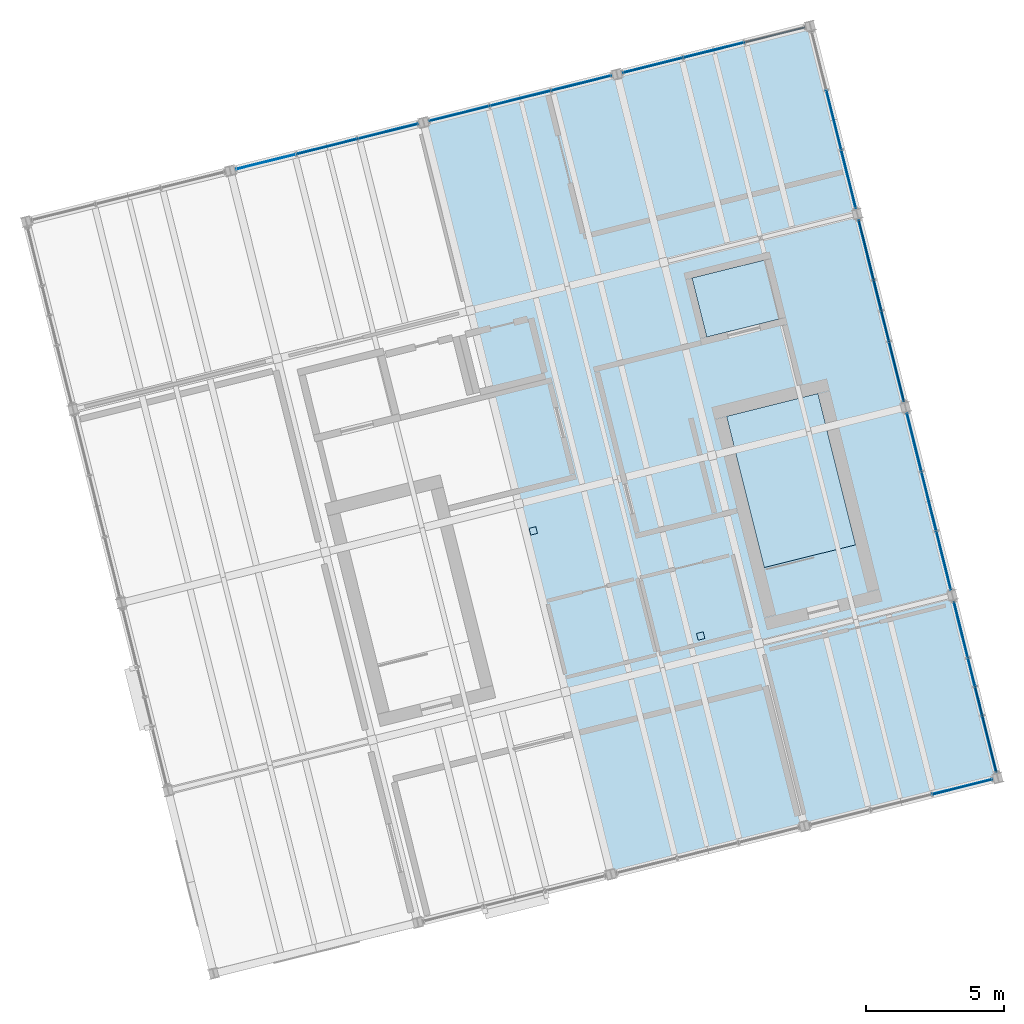
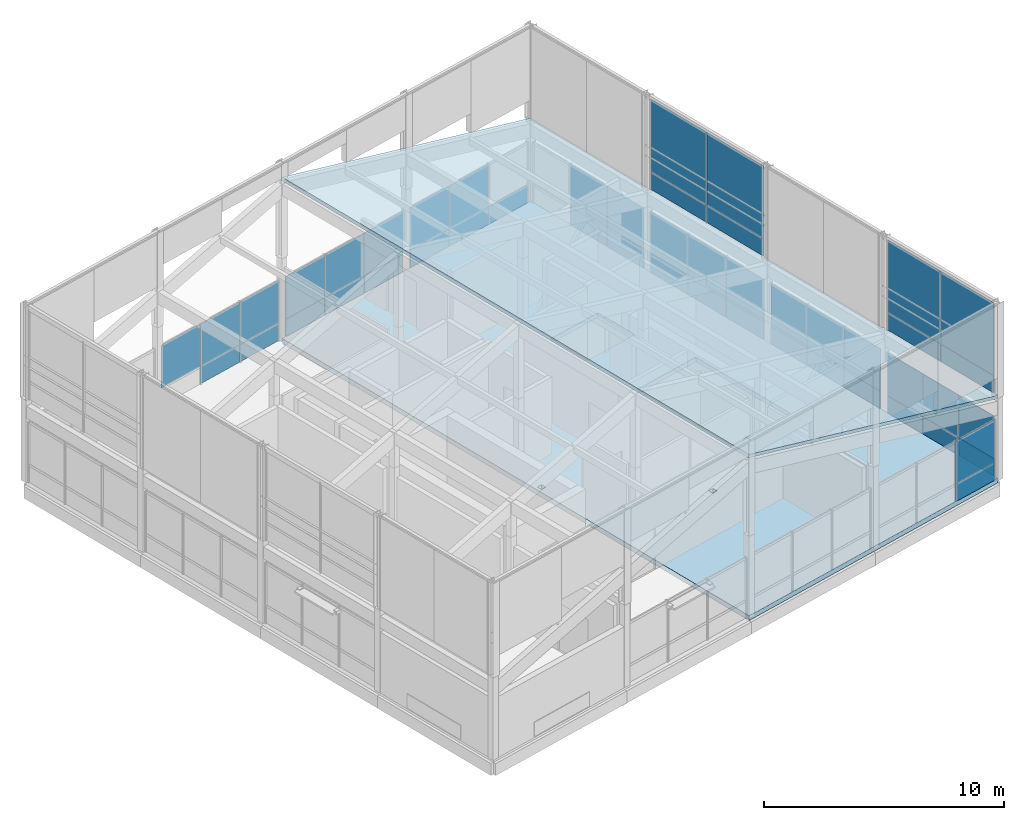
# One storey, part 28 of 31: 48 plates, 2 slabs, 11 elements without a shape of their own.
"""IFC4 building model written with IfcOpenShell, lengths in metres."""

from ifc_helpers import new_model, si_unit, direction, frame, origin, origin_2d, place, context, subcontext, project, spatial, polyline, rectangle, outline, extrude, material, layer, layer_set, type_object, element, aggregate, save


model = new_model("IFC4")

# Units and contexts
model_context = context("Model", 3, precision=1e-05, world=origin(), true_north=direction((0.0, 1.0)))
body_context = subcontext(model_context, "Body", "Model", "MODEL_VIEW")
ifc_project = project(units=[si_unit("LENGTHUNIT", "METRE"), si_unit("AREAUNIT", "SQUARE_METRE"), si_unit("VOLUMEUNIT", "CUBIC_METRE"), si_unit("PLANEANGLEUNIT", "RADIAN"), si_unit("MASSUNIT", "GRAM", prefix="KILO")], contexts=[model_context])

# Site, building, storey
site_placement = place(None, origin())
site = spatial("IfcSite", under=ifc_project, at=site_placement, CompositionType="ELEMENT")
building_placement = place(site_placement, origin())
building = spatial("IfcBuilding", under=site, at=building_placement, Name="Meriwether Solvik Hall", CompositionType="ELEMENT")
storey_placement = place(building_placement, frame((0.0, 0.0, 61.199951171875)))
storey = spatial("IfcBuildingStorey", under=building, at=storey_placement, Name="L15", CompositionType="ELEMENT", Elevation=61.199951171875)

# Curtain wall, plate
ifc_material_1 = material(Name="Thermally Broken Anodised Aluminium 6063-T6 and Low-E Glass", Category="aluminium")
ifc_layer_1 = layer(ifc_material_1, 0.179931640625)
ifc_layer_set_1 = layer_set([ifc_layer_1], Name="Thermally Broken Anodised Aluminium 6063-T6 and Low-E Glass")
curtain_wall_type_1 = type_object("IfcCurtainWallType", Name="CW-UNIT-B", PredefinedType="USERDEFINED", material=ifc_layer_set_1)
curtain_wall_1_placement = place(storey_placement, origin())
curtain_wall_1 = element("IfcCurtainWall", 1, at=curtain_wall_1_placement, inside=storey, type_object=curtain_wall_type_1, Name="Curtain Wall E0_B3 (L15)", ObjectType="UNITISED CURTAIN WALL", PredefinedType="USERDEFINED")
ifc_material_2 = material(Name="Low-Emissivity Double-Glazed Laminated Glass", Category="glass")
ifc_layer_2 = layer(ifc_material_2, 0.031982421875)
ifc_layer_set_2 = layer_set([ifc_layer_2], Name="Low-Emissivity Double-Glazed Laminated Glass")
plate_type_1 = type_object("IfcPlateType", Name="PLT-GLZ-180X185", PredefinedType="CURTAIN_PANEL", material=ifc_layer_set_2)
plate_1_placement = place(storey_placement, frame((95.64013671875, 47.94189453125, 0.8798828125), z_axis=(0.0, 0.0, 1.0), x_axis=(-0.970295696551, -0.241922014821, 0.0)))
plate_1 = element("IfcPlate", 2, at=plate_1_placement, type_object=plate_type_1, Name="Low-E Vision Glazing Panel 1", PredefinedType="CURTAIN_PANEL", context=body_context, shape_type="SweptSolid", body=[
    extrude(rectangle(XDim=2.240966796875, YDim=0.033935546875, at=origin_2d()), origin(), (0.0, 0.0, 1.0), 2.162109375),
])

# Curtain wall, plates
ifc_material_3 = material(Name="Thermally Broken Anodised Aluminium 6063-T6 and Low-E Glass", Category="aluminium")
ifc_layer_3 = layer(ifc_material_3, 0.179931640625)
ifc_layer_set_3 = layer_set([ifc_layer_3], Name="Thermally Broken Anodised Aluminium 6063-T6 and Low-E Glass")
curtain_wall_type_2 = type_object("IfcCurtainWallType", Name="CW-UNIT-C", PredefinedType="USERDEFINED", material=ifc_layer_set_3)
curtain_wall_2_placement = place(storey_placement, origin())
curtain_wall_2 = element("IfcCurtainWall", 3, at=curtain_wall_2_placement, inside=storey, type_object=curtain_wall_type_2, Name="Curtain Wall E1_B3 (L15)", ObjectType="UNITISED CURTAIN WALL", PredefinedType="USERDEFINED")
plate_2_placement = place(storey_placement, frame((91.005615234375, 72.036376953125, 0.8798828125), z_axis=(0.0, 0.0, 1.0), x_axis=(0.241921925524, -0.970295718815, 0.0)))
plate_2 = element("IfcPlate", 4, at=plate_2_placement, type_object=plate_type_1, Name="Low-E Vision Glazing Panel 2", PredefinedType="CURTAIN_PANEL", context=body_context, shape_type="SweptSolid", body=[
    extrude(rectangle(XDim=2.21240234375, YDim=0.033935546875, at=origin_2d()), origin(), (0.0, 0.0, 1.0), 2.162109375),
])
plate_3_placement = place(storey_placement, frame((91.5380859375, 69.900390625, 0.8798828125), z_axis=(0.0, 0.0, 1.0), x_axis=(0.241921925524, -0.970295718815, 0.0)))
plate_3 = element("IfcPlate", 5, at=plate_3_placement, type_object=plate_type_1, Name="Low-E Vision Glazing Panel 3", PredefinedType="CURTAIN_PANEL", context=body_context, shape_type="SweptSolid", body=[
    extrude(rectangle(XDim=2.17431640625, YDim=0.033935546875, at=origin_2d()), origin(), (0.0, 0.0, 1.0), 2.162109375),
])

ifc_material_4 = material(Name="Thermally Broken Anodised Aluminium 6063-T6 and Low-E Glass", Category="aluminium")
ifc_layer_4 = layer(ifc_material_4, 0.179931640625)
ifc_layer_set_4 = layer_set([ifc_layer_4], Name="Thermally Broken Anodised Aluminium 6063-T6 and Low-E Glass")
curtain_wall_type_3 = type_object("IfcCurtainWallType", Name="CW-UNIT-D", PredefinedType="USERDEFINED", material=ifc_layer_set_4)
curtain_wall_3_placement = place(storey_placement, origin())
curtain_wall_3 = element("IfcCurtainWall", 6, at=curtain_wall_3_placement, inside=storey, type_object=curtain_wall_type_3, Name="Curtain Wall E2_B3 (L15)", ObjectType="UNITISED CURTAIN WALL", PredefinedType="USERDEFINED")
plate_4_placement = place(storey_placement, frame((84.465087890625, 74.0126953125, 0.8798828125), z_axis=(0.0, 0.0, 1.0), x_axis=(0.970295730764, 0.241921877598, 0.0)))
plate_4 = element("IfcPlate", 7, at=plate_4_placement, type_object=plate_type_1, Name="Low-E Vision Glazing Panel 1", PredefinedType="CURTAIN_PANEL", context=body_context, shape_type="SweptSolid", body=[
    extrude(rectangle(XDim=2.240966796875, YDim=0.033935546875, at=origin_2d()), origin(), (0.0, 0.0, 1.0), 2.162109375),
])
plate_5_placement = place(storey_placement, frame((86.665771484375, 74.5615234375, 0.8798828125), z_axis=(0.0, 0.0, 1.0), x_axis=(0.970295730764, 0.241921877598, 0.0)))
plate_5 = element("IfcPlate", 8, at=plate_5_placement, type_object=plate_type_1, Name="Low-E Vision Glazing Panel 2", PredefinedType="CURTAIN_PANEL", context=body_context, shape_type="SweptSolid", body=[
    extrude(rectangle(XDim=2.279052734375, YDim=0.033935546875, at=origin_2d()), origin(), (0.0, 0.0, 1.0), 2.162109375),
])

curtain_wall_4_placement = place(storey_placement, origin())
curtain_wall_4 = element("IfcCurtainWall", 9, at=curtain_wall_4_placement, inside=storey, type_object=curtain_wall_type_1, Name="Curtain Wall E1_B2 (L15)", ObjectType="UNITISED CURTAIN WALL", PredefinedType="USERDEFINED")
ifc_material_5 = material(Name="Low-Emissivity Double-Glazed Laminated Glass", Category="glass")
ifc_layer_5 = layer(ifc_material_5, 0.031982421875)
ifc_layer_set_5 = layer_set([ifc_layer_5], Name="Low-Emissivity Double-Glazed Laminated Glass")
plate_type_2 = type_object("IfcPlateType", Name="PLT-GLZ-195X185", PredefinedType="CURTAIN_PANEL", material=ifc_layer_set_5)
plate_6_placement = place(storey_placement, frame((92.174560546875, 67.347900390625, 0.8798828125), z_axis=(0.0, 0.0, 1.0), x_axis=(0.241921877598, -0.970295730764, 0.0)))
plate_6 = element("IfcPlate", 10, at=plate_6_placement, type_object=plate_type_2, Name="Low-E Vision Glazing Panel 1", PredefinedType="CURTAIN_PANEL", context=body_context, shape_type="SweptSolid", body=[
    extrude(rectangle(XDim=2.240966796875, YDim=0.033935546875, at=origin_2d()), origin(), (0.0, 0.0, 1.0), 2.162109375),
])
plate_7_placement = place(storey_placement, frame((92.72314453125, 65.147216796875, 0.8798828125), z_axis=(0.0, 0.0, 1.0), x_axis=(0.241921877598, -0.970295730764, 0.0)))
plate_7 = element("IfcPlate", 11, at=plate_7_placement, type_object=plate_type_2, Name="Low-E Vision Glazing Panel 2", PredefinedType="CURTAIN_PANEL", context=body_context, shape_type="SweptSolid", body=[
    extrude(rectangle(XDim=2.279052734375, YDim=0.033935546875, at=origin_2d()), origin(), (0.0, 0.0, 1.0), 2.162109375),
])
plate_8_placement = place(storey_placement, frame((93.27197265625, 62.946533203125, 0.8798828125), z_axis=(0.0, 0.0, 1.0), x_axis=(0.241921877598, -0.970295730764, 0.0)))
plate_8 = element("IfcPlate", 12, at=plate_8_placement, type_object=plate_type_2, Name="Low-E Vision Glazing Panel 3", PredefinedType="CURTAIN_PANEL", context=body_context, shape_type="SweptSolid", body=[
    extrude(rectangle(XDim=2.240966796875, YDim=0.033935546875, at=origin_2d()), origin(), (0.0, 0.0, 1.0), 2.162109375),
])

curtain_wall_5_placement = place(storey_placement, origin())
curtain_wall_5 = element("IfcCurtainWall", 13, at=curtain_wall_5_placement, inside=storey, type_object=curtain_wall_type_2, Name="Curtain Wall E2_B2 (L15)", ObjectType="UNITISED CURTAIN WALL", PredefinedType="USERDEFINED")
plate_9_placement = place(storey_placement, frame((77.47900390625, 72.27099609375, 0.8798828125), z_axis=(0.0, 0.0, 1.0), x_axis=(0.970295730764, 0.241921877598, 0.0)))
plate_9 = element("IfcPlate", 14, at=plate_9_placement, type_object=plate_type_2, Name="Low-E Vision Glazing Panel 1", PredefinedType="CURTAIN_PANEL", context=body_context, shape_type="SweptSolid", body=[
    extrude(rectangle(XDim=2.240966796875, YDim=0.033935546875, at=origin_2d()), origin(), (0.0, 0.0, 1.0), 2.162109375),
])
plate_10_placement = place(storey_placement, frame((79.6796875, 72.819580078125, 0.8798828125), z_axis=(0.0, 0.0, 1.0), x_axis=(0.970295730764, 0.241921877598, 0.0)))
plate_10 = element("IfcPlate", 15, at=plate_10_placement, type_object=plate_type_2, Name="Low-E Vision Glazing Panel 2", PredefinedType="CURTAIN_PANEL", context=body_context, shape_type="SweptSolid", body=[
    extrude(rectangle(XDim=2.279052734375, YDim=0.033935546875, at=origin_2d()), origin(), (0.0, 0.0, 1.0), 2.162109375),
])
plate_11_placement = place(storey_placement, frame((81.88037109375, 73.368408203125, 0.8798828125), z_axis=(0.0, 0.0, 1.0), x_axis=(0.970295730764, 0.241921877598, 0.0)))
plate_11 = element("IfcPlate", 16, at=plate_11_placement, type_object=plate_type_2, Name="Low-E Vision Glazing Panel 3", PredefinedType="CURTAIN_PANEL", context=body_context, shape_type="SweptSolid", body=[
    extrude(rectangle(XDim=2.240966796875, YDim=0.033935546875, at=origin_2d()), origin(), (0.0, 0.0, 1.0), 2.162109375),
])

ifc_material_6 = material(Name="Thermally Broken Anodised Aluminium 6063-T6 and Low-E Glass", Category="aluminium")
ifc_layer_6 = layer(ifc_material_6, 0.179931640625)
ifc_layer_set_6 = layer_set([ifc_layer_6], Name="Thermally Broken Anodised Aluminium 6063-T6 and Low-E Glass")
curtain_wall_type_4 = type_object("IfcCurtainWallType", Name="CW-UNIT-A", PredefinedType="USERDEFINED", material=ifc_layer_set_6)
curtain_wall_6_placement = place(storey_placement, origin())
curtain_wall_6 = element("IfcCurtainWall", 17, at=curtain_wall_6_placement, inside=storey, type_object=curtain_wall_type_4, Name="Curtain Wall E1_B1 (L15)", ObjectType="UNITISED CURTAIN WALL", PredefinedType="USERDEFINED")
ifc_material_7 = material(Name="Low-Emissivity Double-Glazed Laminated Glass", Category="glass")
ifc_layer_7 = layer(ifc_material_7, 0.031982421875)
ifc_layer_set_7 = layer_set([ifc_layer_7], Name="Low-Emissivity Double-Glazed Laminated Glass")
plate_type_3 = type_object("IfcPlateType", Name="PLT-GLZ-210X195", PredefinedType="CURTAIN_PANEL", material=ifc_layer_set_7)
plate_12_placement = place(storey_placement, frame((93.908203125, 60.39404296875, 0.8798828125), z_axis=(0.0, 0.0, 1.0), x_axis=(0.241921925524, -0.970295718815, 0.0)))
plate_12 = element("IfcPlate", 18, at=plate_12_placement, type_object=plate_type_3, Name="Low-E Vision Glazing Panel 1", PredefinedType="CURTAIN_PANEL", context=body_context, shape_type="SweptSolid", body=[
    extrude(rectangle(XDim=2.17431640625, YDim=0.033935546875, at=origin_2d()), origin(), (0.0, 0.0, 1.0), 2.162109375),
])
plate_13_placement = place(storey_placement, frame((94.44091796875, 58.258056640625, 0.8798828125), z_axis=(0.0, 0.0, 1.0), x_axis=(0.241921925524, -0.970295718815, 0.0)))
plate_13 = element("IfcPlate", 19, at=plate_13_placement, type_object=plate_type_3, Name="Low-E Vision Glazing Panel 2", PredefinedType="CURTAIN_PANEL", context=body_context, shape_type="SweptSolid", body=[
    extrude(rectangle(XDim=2.21240234375, YDim=0.033935546875, at=origin_2d()), origin(), (0.0, 0.0, 1.0), 2.162109375),
])
plate_14_placement = place(storey_placement, frame((94.973388671875, 56.122314453125, 0.8798828125), z_axis=(0.0, 0.0, 1.0), x_axis=(0.241921925524, -0.970295718815, 0.0)))
plate_14 = element("IfcPlate", 20, at=plate_14_placement, type_object=plate_type_3, Name="Low-E Vision Glazing Panel 3", PredefinedType="CURTAIN_PANEL", context=body_context, shape_type="SweptSolid", body=[
    extrude(rectangle(XDim=2.17431640625, YDim=0.033935546875, at=origin_2d()), origin(), (0.0, 0.0, 1.0), 2.162109375),
])

curtain_wall_7_placement = place(storey_placement, origin())
curtain_wall_7 = element("IfcCurtainWall", 21, at=curtain_wall_7_placement, inside=storey, type_object=curtain_wall_type_1, Name="Curtain Wall E2_B1 (L15)", ObjectType="UNITISED CURTAIN WALL", PredefinedType="USERDEFINED")
plate_15_placement = place(storey_placement, frame((70.492919921875, 70.529052734375, 0.8798828125), z_axis=(0.0, 0.0, 1.0), x_axis=(0.970295730764, 0.241921877598, 0.0)))
plate_15 = element("IfcPlate", 22, at=plate_15_placement, type_object=plate_type_3, Name="Low-E Vision Glazing Panel 1", PredefinedType="CURTAIN_PANEL", context=body_context, shape_type="SweptSolid", body=[
    extrude(rectangle(XDim=2.240966796875, YDim=0.033935546875, at=origin_2d()), origin(), (0.0, 0.0, 1.0), 2.162109375),
])
plate_16_placement = place(storey_placement, frame((72.693603515625, 71.077880859375, 0.8798828125), z_axis=(0.0, 0.0, 1.0), x_axis=(0.970295730764, 0.241921877598, 0.0)))
plate_16 = element("IfcPlate", 23, at=plate_16_placement, type_object=plate_type_3, Name="Low-E Vision Glazing Panel 2", PredefinedType="CURTAIN_PANEL", context=body_context, shape_type="SweptSolid", body=[
    extrude(rectangle(XDim=2.279052734375, YDim=0.033935546875, at=origin_2d()), origin(), (0.0, 0.0, 1.0), 2.162109375),
])
plate_17_placement = place(storey_placement, frame((74.89404296875, 71.62646484375, 0.8798828125), z_axis=(0.0, 0.0, 1.0), x_axis=(0.970295730764, 0.241921877598, 0.0)))
plate_17 = element("IfcPlate", 24, at=plate_17_placement, type_object=plate_type_3, Name="Low-E Vision Glazing Panel 3", PredefinedType="CURTAIN_PANEL", context=body_context, shape_type="SweptSolid", body=[
    extrude(rectangle(XDim=2.240966796875, YDim=0.033935546875, at=origin_2d()), origin(), (0.0, 0.0, 1.0), 2.162109375),
])

ifc_material_8 = material(Name="Thermally Broken Anodised Aluminium 6063-T6 and Low-E Glass", Category="aluminium")
ifc_layer_8 = layer(ifc_material_8, 0.179931640625)
ifc_layer_set_8 = layer_set([ifc_layer_8], Name="Thermally Broken Anodised Aluminium 6063-T6 and Low-E Glass")
curtain_wall_type_5 = type_object("IfcCurtainWallType", Name="CW-UNIT-G", PredefinedType="USERDEFINED", material=ifc_layer_set_8)
curtain_wall_8_placement = place(storey_placement, origin())
curtain_wall_8 = element("IfcCurtainWall", 25, at=curtain_wall_8_placement, inside=storey, type_object=curtain_wall_type_5, Name="Curtain Wall E1_B0 (L15)", ObjectType="UNITISED CURTAIN WALL", PredefinedType="USERDEFINED")
ifc_material_9 = material(Name="Low-Emissivity Double-Glazed Laminated Glass", Category="glass")
ifc_layer_9 = layer(ifc_material_9, 0.031982421875)
ifc_layer_set_9 = layer_set([ifc_layer_9], Name="Low-Emissivity Double-Glazed Laminated Glass")
plate_type_4 = type_object("IfcPlateType", Name="PLT-GLZ-225X195", PredefinedType="CURTAIN_PANEL", material=ifc_layer_set_9)
plate_18_placement = place(storey_placement, frame((95.59375, 53.63427734375, 0.8798828125), z_axis=(0.0, 0.0, 1.0), x_axis=(0.241921830705, -0.970295742456, 0.0)))
plate_18 = element("IfcPlate", 26, at=plate_18_placement, type_object=plate_type_4, Name="Low-E Vision Glazing Panel 1", PredefinedType="CURTAIN_PANEL", context=body_context, shape_type="SweptSolid", body=[
    extrude(rectangle(XDim=2.107666015625, YDim=0.033935546875, at=origin_2d()), origin(), (0.0, 0.0, 1.0), 2.162109375),
])
plate_19_placement = place(storey_placement, frame((96.110107421875, 51.563232421875, 0.8798828125), z_axis=(0.0, 0.0, 1.0), x_axis=(0.241921830705, -0.970295742456, 0.0)))
plate_19 = element("IfcPlate", 27, at=plate_19_placement, type_object=plate_type_4, Name="Low-E Vision Glazing Panel 2", PredefinedType="CURTAIN_PANEL", context=body_context, shape_type="SweptSolid", body=[
    extrude(rectangle(XDim=2.145751953125, YDim=0.033935546875, at=origin_2d()), origin(), (0.0, 0.0, 1.0), 2.162109375),
])
plate_20_placement = place(storey_placement, frame((96.62646484375, 49.491943359375, 0.8798828125), z_axis=(0.0, 0.0, 1.0), x_axis=(0.241921830705, -0.970295742456, 0.0)))
plate_20 = element("IfcPlate", 28, at=plate_20_placement, type_object=plate_type_4, Name="Low-E Vision Glazing Panel 3", PredefinedType="CURTAIN_PANEL", context=body_context, shape_type="SweptSolid", body=[
    extrude(rectangle(XDim=2.107666015625, YDim=0.033935546875, at=origin_2d()), origin(), (0.0, 0.0, 1.0), 2.162109375),
])

ifc_material_10 = material(Name="Thermally Broken Anodised Aluminium 6063-T6 and Low-E Glass", Category="aluminium")
ifc_layer_10 = layer(ifc_material_10, 0.179931640625)
ifc_layer_set_10 = layer_set([ifc_layer_10], Name="Thermally Broken Anodised Aluminium 6063-T6 and Low-E Glass")
curtain_wall_type_6 = type_object("IfcCurtainWallType", Name="CW-CROWN-GL", PredefinedType="USERDEFINED", material=ifc_layer_set_10)
curtain_wall_9_placement = place(storey_placement, origin())
curtain_wall_9 = element("IfcCurtainWall", 29, at=curtain_wall_9_placement, inside=storey, type_object=curtain_wall_type_6, Name="Curtain Wall crown_E_1 (L15)", ObjectType="UNITISED CURTAIN WALL", PredefinedType="USERDEFINED")
ifc_material_11 = material(Name="Low-Emissivity Double-Glazed Laminated Glass", Category="glass")
ifc_layer_11 = layer(ifc_material_11, 0.033935546875)
ifc_layer_set_11 = layer_set([ifc_layer_11], Name="Low-Emissivity Double-Glazed Laminated Glass")
plate_type_5 = type_object("IfcPlateType", Name="PLT-GLZ-320X180", PredefinedType="CURTAIN_PANEL", material=ifc_layer_set_11)
plate_21_placement = place(storey_placement, frame((96.493896484375, 50.024169921875, 5.10009765625), z_axis=(0.0, 0.0, 1.0), x_axis=(-0.241922418429, 0.97029559592, 0.0)))
plate_21 = element("IfcPlate", 30, at=plate_21_placement, type_object=plate_type_5, Name="Low-E Vision Glazing Panel 1", PredefinedType="CURTAIN_PANEL", context=body_context, shape_type="SweptSolid", body=[
    extrude(rectangle(XDim=3.1640625, YDim=0.033935546875, at=origin_2d()), origin(), (0.0, 0.0, 1.0), 3.68994140625),
])
plate_22_placement = place(storey_placement, frame((95.726318359375, 53.10205078125, 5.10009765625), z_axis=(0.0, 0.0, 1.0), x_axis=(-0.241922418429, 0.97029559592, 0.0)))
plate_22 = element("IfcPlate", 31, at=plate_22_placement, type_object=plate_type_5, Name="Low-E Vision Glazing Panel 2", PredefinedType="CURTAIN_PANEL", context=body_context, shape_type="SweptSolid", body=[
    extrude(rectangle(XDim=3.1640625, YDim=0.033935546875, at=origin_2d()), origin(), (0.0, 0.0, 1.0), 3.68994140625),
])

curtain_wall_10_placement = place(storey_placement, origin())
curtain_wall_10 = element("IfcCurtainWall", 32, at=curtain_wall_10_placement, inside=storey, type_object=curtain_wall_type_6, Name="Curtain Wall crown_E_3 (L15)", ObjectType="UNITISED CURTAIN WALL", PredefinedType="USERDEFINED")
plate_23_placement = place(storey_placement, frame((93.131103515625, 63.51123046875, 5.10009765625), z_axis=(0.0, 0.0, 1.0), x_axis=(-0.241922500343, 0.970295575496, 0.0)))
plate_23 = element("IfcPlate", 33, at=plate_23_placement, type_object=plate_type_5, Name="Low-E Vision Glazing Panel 1", PredefinedType="CURTAIN_PANEL", context=body_context, shape_type="SweptSolid", body=[
    extrude(rectangle(XDim=3.364013671875, YDim=0.033935546875, at=origin_2d()), origin(), (0.0, 0.0, 1.0), 3.68994140625),
])
plate_24_placement = place(storey_placement, frame((92.3154296875, 66.783203125, 5.10009765625), z_axis=(0.0, 0.0, 1.0), x_axis=(-0.241922500343, 0.970295575496, 0.0)))
plate_24 = element("IfcPlate", 34, at=plate_24_placement, type_object=plate_type_5, Name="Low-E Vision Glazing Panel 2", PredefinedType="CURTAIN_PANEL", context=body_context, shape_type="SweptSolid", body=[
    extrude(rectangle(XDim=3.364013671875, YDim=0.033935546875, at=origin_2d()), origin(), (0.0, 0.0, 1.0), 3.68994140625),
])

# Plate
ifc_material_12 = material(Name="Mineral-Wool Insulated Anodised Aluminium 6063-T6", Category="aluminium")
ifc_layer_12 = layer(ifc_material_12, 0.044921875)
ifc_layer_set_12 = layer_set([ifc_layer_12], Name="Mineral-Wool Insulated Anodised Aluminium 6063-T6")
plate_type_6 = type_object("IfcPlateType", Name="PLT-SPN-200X085", PredefinedType="CURTAIN_PANEL", material=ifc_layer_set_12)
plate_25_placement = place(storey_placement, frame((95.64013671875, 47.94189453125, 0.0), z_axis=(0.0, 0.0, 1.0), x_axis=(-0.970295696551, -0.241922014821, 0.0)))
plate_25 = element("IfcPlate", 35, at=plate_25_placement, type_object=plate_type_6, Name="Insulated Spandrel Panel 1", PredefinedType="CURTAIN_PANEL", context=body_context, shape_type="SweptSolid", body=[
    extrude(rectangle(XDim=2.240966796875, YDim=0.044921875, at=origin_2d()), origin(), (0.0, 0.0, 1.0), 0.8798828125),
])

aggregate(curtain_wall_1, [plate_25, plate_1])

plate_26_placement = place(storey_placement, frame((95.59375, 53.63427734375, 0.0), z_axis=(0.0, 0.0, 1.0), x_axis=(0.241921830705, -0.970295742456, 0.0)))
plate_26 = element("IfcPlate", 36, at=plate_26_placement, type_object=plate_type_6, Name="Insulated Spandrel Panel 1", PredefinedType="CURTAIN_PANEL", context=body_context, shape_type="SweptSolid", body=[
    extrude(rectangle(XDim=2.107666015625, YDim=0.044921875, at=origin_2d()), origin(), (0.0, 0.0, 1.0), 0.8798828125),
])

plate_27_placement = place(storey_placement, frame((96.110107421875, 51.563232421875, 0.0), z_axis=(0.0, 0.0, 1.0), x_axis=(0.241921830705, -0.970295742456, 0.0)))
plate_27 = element("IfcPlate", 37, at=plate_27_placement, type_object=plate_type_6, Name="Insulated Spandrel Panel 2", PredefinedType="CURTAIN_PANEL", context=body_context, shape_type="SweptSolid", body=[
    extrude(rectangle(XDim=2.145751953125, YDim=0.044921875, at=origin_2d()), origin(), (0.0, 0.0, 1.0), 0.8798828125),
])

plate_28_placement = place(storey_placement, frame((96.62646484375, 49.491943359375, 0.0), z_axis=(0.0, 0.0, 1.0), x_axis=(0.241921830705, -0.970295742456, 0.0)))
plate_28 = element("IfcPlate", 38, at=plate_28_placement, type_object=plate_type_6, Name="Insulated Spandrel Panel 3", PredefinedType="CURTAIN_PANEL", context=body_context, shape_type="SweptSolid", body=[
    extrude(rectangle(XDim=2.107666015625, YDim=0.044921875, at=origin_2d()), origin(), (0.0, 0.0, 1.0), 0.8798828125),
])

aggregate(curtain_wall_8, [plate_26, plate_18, plate_27, plate_19, plate_28, plate_20])

plate_29_placement = place(storey_placement, frame((93.908203125, 60.39404296875, 0.0), z_axis=(0.0, 0.0, 1.0), x_axis=(0.241921925524, -0.970295718815, 0.0)))
plate_29 = element("IfcPlate", 39, at=plate_29_placement, type_object=plate_type_6, Name="Insulated Spandrel Panel 1", PredefinedType="CURTAIN_PANEL", context=body_context, shape_type="SweptSolid", body=[
    extrude(rectangle(XDim=2.17431640625, YDim=0.044921875, at=origin_2d()), origin(), (0.0, 0.0, 1.0), 0.8798828125),
])

plate_30_placement = place(storey_placement, frame((94.44091796875, 58.258056640625, 0.0), z_axis=(0.0, 0.0, 1.0), x_axis=(0.241921925524, -0.970295718815, 0.0)))
plate_30 = element("IfcPlate", 40, at=plate_30_placement, type_object=plate_type_6, Name="Insulated Spandrel Panel 2", PredefinedType="CURTAIN_PANEL", context=body_context, shape_type="SweptSolid", body=[
    extrude(rectangle(XDim=2.21240234375, YDim=0.044921875, at=origin_2d()), origin(), (0.0, 0.0, 1.0), 0.8798828125),
])

plate_31_placement = place(storey_placement, frame((94.973388671875, 56.122314453125, 0.0), z_axis=(0.0, 0.0, 1.0), x_axis=(0.241921925524, -0.970295718815, 0.0)))
plate_31 = element("IfcPlate", 41, at=plate_31_placement, type_object=plate_type_6, Name="Insulated Spandrel Panel 3", PredefinedType="CURTAIN_PANEL", context=body_context, shape_type="SweptSolid", body=[
    extrude(rectangle(XDim=2.17431640625, YDim=0.044921875, at=origin_2d()), origin(), (0.0, 0.0, 1.0), 0.8798828125),
])

aggregate(curtain_wall_6, [plate_29, plate_12, plate_30, plate_13, plate_31, plate_14])

plate_32_placement = place(storey_placement, frame((92.174560546875, 67.347900390625, 0.0), z_axis=(0.0, 0.0, 1.0), x_axis=(0.241921877598, -0.970295730764, 0.0)))
plate_32 = element("IfcPlate", 42, at=plate_32_placement, type_object=plate_type_6, Name="Insulated Spandrel Panel 1", PredefinedType="CURTAIN_PANEL", context=body_context, shape_type="SweptSolid", body=[
    extrude(rectangle(XDim=2.240966796875, YDim=0.044921875, at=origin_2d()), origin(), (0.0, 0.0, 1.0), 0.8798828125),
])

plate_33_placement = place(storey_placement, frame((92.72314453125, 65.147216796875, 0.0), z_axis=(0.0, 0.0, 1.0), x_axis=(0.241921877598, -0.970295730764, 0.0)))
plate_33 = element("IfcPlate", 43, at=plate_33_placement, type_object=plate_type_6, Name="Insulated Spandrel Panel 2", PredefinedType="CURTAIN_PANEL", context=body_context, shape_type="SweptSolid", body=[
    extrude(rectangle(XDim=2.279052734375, YDim=0.044921875, at=origin_2d()), origin(), (0.0, 0.0, 1.0), 0.8798828125),
])

plate_34_placement = place(storey_placement, frame((93.27197265625, 62.946533203125, 0.0), z_axis=(0.0, 0.0, 1.0), x_axis=(0.241921877598, -0.970295730764, 0.0)))
plate_34 = element("IfcPlate", 44, at=plate_34_placement, type_object=plate_type_6, Name="Insulated Spandrel Panel 3", PredefinedType="CURTAIN_PANEL", context=body_context, shape_type="SweptSolid", body=[
    extrude(rectangle(XDim=2.240966796875, YDim=0.044921875, at=origin_2d()), origin(), (0.0, 0.0, 1.0), 0.8798828125),
])

aggregate(curtain_wall_4, [plate_32, plate_6, plate_33, plate_7, plate_34, plate_8])

plate_35_placement = place(storey_placement, frame((91.005615234375, 72.036376953125, 0.0), z_axis=(0.0, 0.0, 1.0), x_axis=(0.241921925524, -0.970295718815, 0.0)))
plate_35 = element("IfcPlate", 45, at=plate_35_placement, type_object=plate_type_6, Name="Insulated Spandrel Panel 2", PredefinedType="CURTAIN_PANEL", context=body_context, shape_type="SweptSolid", body=[
    extrude(rectangle(XDim=2.21240234375, YDim=0.044921875, at=origin_2d()), origin(), (0.0, 0.0, 1.0), 0.8798828125),
])

plate_36_placement = place(storey_placement, frame((91.5380859375, 69.900390625, 0.0), z_axis=(0.0, 0.0, 1.0), x_axis=(0.241921925524, -0.970295718815, 0.0)))
plate_36 = element("IfcPlate", 46, at=plate_36_placement, type_object=plate_type_6, Name="Insulated Spandrel Panel 3", PredefinedType="CURTAIN_PANEL", context=body_context, shape_type="SweptSolid", body=[
    extrude(rectangle(XDim=2.17431640625, YDim=0.044921875, at=origin_2d()), origin(), (0.0, 0.0, 1.0), 0.8798828125),
])

aggregate(curtain_wall_2, [plate_35, plate_2, plate_36, plate_3])

plate_37_placement = place(storey_placement, frame((72.693603515625, 71.077880859375, 0.0), z_axis=(0.0, 0.0, 1.0), x_axis=(0.970295730764, 0.241921877598, 0.0)))
plate_37 = element("IfcPlate", 47, at=plate_37_placement, type_object=plate_type_6, Name="Insulated Spandrel Panel 2", PredefinedType="CURTAIN_PANEL", context=body_context, shape_type="SweptSolid", body=[
    extrude(rectangle(XDim=2.279052734375, YDim=0.044921875, at=origin_2d()), origin(), (0.0, 0.0, 1.0), 0.8798828125),
])

plate_38_placement = place(storey_placement, frame((74.89404296875, 71.62646484375, 0.0), z_axis=(0.0, 0.0, 1.0), x_axis=(0.970295730764, 0.241921877598, 0.0)))
plate_38 = element("IfcPlate", 48, at=plate_38_placement, type_object=plate_type_6, Name="Insulated Spandrel Panel 3", PredefinedType="CURTAIN_PANEL", context=body_context, shape_type="SweptSolid", body=[
    extrude(rectangle(XDim=2.240966796875, YDim=0.044921875, at=origin_2d()), origin(), (0.0, 0.0, 1.0), 0.8798828125),
])

aggregate(curtain_wall_7, [plate_15, plate_37, plate_16, plate_38, plate_17])

plate_39_placement = place(storey_placement, frame((77.47900390625, 72.27099609375, 0.0), z_axis=(0.0, 0.0, 1.0), x_axis=(0.970295730764, 0.241921877598, 0.0)))
plate_39 = element("IfcPlate", 49, at=plate_39_placement, type_object=plate_type_6, Name="Insulated Spandrel Panel 1", PredefinedType="CURTAIN_PANEL", context=body_context, shape_type="SweptSolid", body=[
    extrude(rectangle(XDim=2.240966796875, YDim=0.044921875, at=origin_2d()), origin(), (0.0, 0.0, 1.0), 0.8798828125),
])

plate_40_placement = place(storey_placement, frame((79.6796875, 72.819580078125, 0.0), z_axis=(0.0, 0.0, 1.0), x_axis=(0.970295730764, 0.241921877598, 0.0)))
plate_40 = element("IfcPlate", 50, at=plate_40_placement, type_object=plate_type_6, Name="Insulated Spandrel Panel 2", PredefinedType="CURTAIN_PANEL", context=body_context, shape_type="SweptSolid", body=[
    extrude(rectangle(XDim=2.279052734375, YDim=0.044921875, at=origin_2d()), origin(), (0.0, 0.0, 1.0), 0.8798828125),
])

plate_41_placement = place(storey_placement, frame((81.88037109375, 73.368408203125, 0.0), z_axis=(0.0, 0.0, 1.0), x_axis=(0.970295730764, 0.241921877598, 0.0)))
plate_41 = element("IfcPlate", 51, at=plate_41_placement, type_object=plate_type_6, Name="Insulated Spandrel Panel 3", PredefinedType="CURTAIN_PANEL", context=body_context, shape_type="SweptSolid", body=[
    extrude(rectangle(XDim=2.240966796875, YDim=0.044921875, at=origin_2d()), origin(), (0.0, 0.0, 1.0), 0.8798828125),
])

aggregate(curtain_wall_5, [plate_39, plate_9, plate_40, plate_10, plate_41, plate_11])

plate_42_placement = place(storey_placement, frame((84.465087890625, 74.0126953125, 0.0), z_axis=(0.0, 0.0, 1.0), x_axis=(0.970295730764, 0.241921877598, 0.0)))
plate_42 = element("IfcPlate", 52, at=plate_42_placement, type_object=plate_type_6, Name="Insulated Spandrel Panel 1", PredefinedType="CURTAIN_PANEL", context=body_context, shape_type="SweptSolid", body=[
    extrude(rectangle(XDim=2.240966796875, YDim=0.044921875, at=origin_2d()), origin(), (0.0, 0.0, 1.0), 0.8798828125),
])

plate_43_placement = place(storey_placement, frame((86.665771484375, 74.5615234375, 0.0), z_axis=(0.0, 0.0, 1.0), x_axis=(0.970295730764, 0.241921877598, 0.0)))
plate_43 = element("IfcPlate", 53, at=plate_43_placement, type_object=plate_type_6, Name="Insulated Spandrel Panel 2", PredefinedType="CURTAIN_PANEL", context=body_context, shape_type="SweptSolid", body=[
    extrude(rectangle(XDim=2.279052734375, YDim=0.044921875, at=origin_2d()), origin(), (0.0, 0.0, 1.0), 0.8798828125),
])

plate_44_placement = place(storey_placement, frame((88.866455078125, 75.110107421875, 0.0), z_axis=(0.0, 0.0, 1.0), x_axis=(0.970295730764, 0.241921877598, 0.0)))
plate_44 = element("IfcPlate", 54, at=plate_44_placement, type_object=plate_type_6, Name="Insulated Spandrel Panel 3", PredefinedType="CURTAIN_PANEL", context=body_context, shape_type="SweptSolid", body=[
    extrude(rectangle(XDim=2.240966796875, YDim=0.044921875, at=origin_2d()), origin(), (0.0, 0.0, 1.0), 0.8798828125),
])

aggregate(curtain_wall_3, [plate_42, plate_4, plate_43, plate_5, plate_44])

plate_45_placement = place(storey_placement, frame((96.493896484375, 50.024169921875, 4.22021484375), z_axis=(0.0, 0.0, 1.0), x_axis=(-0.241922418429, 0.97029559592, 0.0)))
plate_45 = element("IfcPlate", 55, at=plate_45_placement, type_object=plate_type_6, Name="Insulated Spandrel Panel 1", PredefinedType="CURTAIN_PANEL", context=body_context, shape_type="SweptSolid", body=[
    extrude(rectangle(XDim=3.1640625, YDim=0.044921875, at=origin_2d()), origin(), (0.0, 0.0, 1.0), 0.8798828125),
])

plate_46_placement = place(storey_placement, frame((95.726318359375, 53.10205078125, 4.22021484375), z_axis=(0.0, 0.0, 1.0), x_axis=(-0.241922418429, 0.97029559592, 0.0)))
plate_46 = element("IfcPlate", 56, at=plate_46_placement, type_object=plate_type_6, Name="Insulated Spandrel Panel 2", PredefinedType="CURTAIN_PANEL", context=body_context, shape_type="SweptSolid", body=[
    extrude(rectangle(XDim=3.1640625, YDim=0.044921875, at=origin_2d()), origin(), (0.0, 0.0, 1.0), 0.8798828125),
])

aggregate(curtain_wall_9, [plate_45, plate_21, plate_46, plate_22])

plate_47_placement = place(storey_placement, frame((93.131103515625, 63.51123046875, 4.22021484375), z_axis=(0.0, 0.0, 1.0), x_axis=(-0.241922500343, 0.970295575496, 0.0)))
plate_47 = element("IfcPlate", 57, at=plate_47_placement, type_object=plate_type_6, Name="Insulated Spandrel Panel 1", PredefinedType="CURTAIN_PANEL", context=body_context, shape_type="SweptSolid", body=[
    extrude(rectangle(XDim=3.364013671875, YDim=0.044921875, at=origin_2d()), origin(), (0.0, 0.0, 1.0), 0.8798828125),
])

plate_48_placement = place(storey_placement, frame((92.3154296875, 66.783203125, 4.22021484375), z_axis=(0.0, 0.0, 1.0), x_axis=(-0.241922500343, 0.970295575496, 0.0)))
plate_48 = element("IfcPlate", 58, at=plate_48_placement, type_object=plate_type_6, Name="Insulated Spandrel Panel 2", PredefinedType="CURTAIN_PANEL", context=body_context, shape_type="SweptSolid", body=[
    extrude(rectangle(XDim=3.364013671875, YDim=0.044921875, at=origin_2d()), origin(), (0.0, 0.0, 1.0), 0.8798828125),
])

aggregate(curtain_wall_10, [plate_47, plate_23, plate_48, plate_24])

# Slab
ifc_material_13 = material(Name="Cross-Laminated Timber PRG 320 E1", Category="wood")
ifc_layer_13 = layer(ifc_material_13, 0.2451171875)
ifc_layer_set_13 = layer_set([ifc_layer_13], Name="Cross-Laminated Timber PRG 320 E1")
slab_type_1 = type_object("IfcSlabType", Name="SLB-CLT-245", PredefinedType="FLOOR", material=ifc_layer_set_13)
slab_1_placement = place(storey_placement, frame((0.0, 0.0, -0.244873046875)))
element("IfcSlab", 59, at=slab_1_placement, inside=storey, type_object=slab_type_1, Name="L15 Mass-Timber CLT Floor C", PredefinedType="FLOOR", context=body_context, shape_type="SweptSolid", body=[
    extrude(outline(polyline([(90.156005859375, 75.431640625), (96.9296875, 48.263427734375), (82.96337890625, 44.78125), (76.189453125, 71.949462890625), (90.156005859375, 75.431640625)]), holes=[polyline([(86.106689453125, 53.242919921875), (86.34912109375, 53.303466796875), (86.28857421875, 53.5458984375), (86.046142578125, 53.485595703125), (86.106689453125, 53.242919921875)]), polyline([(79.997314453125, 57.284912109375), (80.0576171875, 57.04248046875), (80.30029296875, 57.10302734375), (80.23974609375, 57.345458984375), (79.997314453125, 57.284912109375)]), polyline([(88.492919921875, 55.8662109375), (91.791748046875, 56.688720703125), (90.429443359375, 62.1533203125), (87.13037109375, 61.330810546875), (88.492919921875, 55.8662109375)]), polyline([(85.884521484375, 66.327880859375), (86.416748046875, 64.193359375), (89.036376953125, 64.846435546875), (88.504150390625, 66.981201171875), (85.884521484375, 66.327880859375)])]), origin(), (0.0, 0.0, 1.0), 0.244873046875),
])

# Roof, slab
ifc_material_14 = material(Name="Cross-Laminated Timber PRG 320 E1", Category="wood")
ifc_layer_14 = layer(ifc_material_14, 0.2451171875)
ifc_layer_set_14 = layer_set([ifc_layer_14], Name="Cross-Laminated Timber PRG 320 E1")
roof_type = type_object("IfcRoofType", Name="ROOF-SHED-CLT", PredefinedType="SHED_ROOF", material=ifc_layer_set_14)
roof_placement = place(storey_placement, origin())
roof = element("IfcRoof", 60, at=roof_placement, inside=storey, type_object=roof_type, Name="Tower Crown Sloped Roof East", PredefinedType="SHED_ROOF")
ifc_material_15 = material(Name="Cross-Laminated Timber PRG 320 E1", Category="wood")
ifc_layer_15 = layer(ifc_material_15, 0.159912109375)
ifc_layer_set_15 = layer_set([ifc_layer_15], Name="Cross-Laminated Timber PRG 320 E1")
slab_type_2 = type_object("IfcSlabType", Name="SLB-ROOF-160", PredefinedType="ROOF", material=ifc_layer_set_15)
slab_2_placement = place(storey_placement, frame((82.96044921875, 44.780517578125, 8.199951171875), z_axis=(0.25969329997, 0.064748883047, 0.963518018563), x_axis=(0.934897575131, 0.233095465657, -0.267643471628)))
slab_2 = element("IfcSlab", 61, at=slab_2_placement, type_object=slab_type_2, Name="Tower Sloped CLT Roof Facet East", PredefinedType="ROOF", context=body_context, shape_type="SweptSolid", body=[
    extrude(outline(polyline([(0.0, 0.0), (14.945141128744284, -1.6653345369377348e-16), (14.945229823035538, 27.999902761080996), (-0.0001395521870497518, 27.999961823897657), (0.0, 0.0)])), origin(), (0.0, 0.0, -1.0), 0.159912109375),
])
aggregate(roof, [slab_2])

save(model, "model.ifc")
